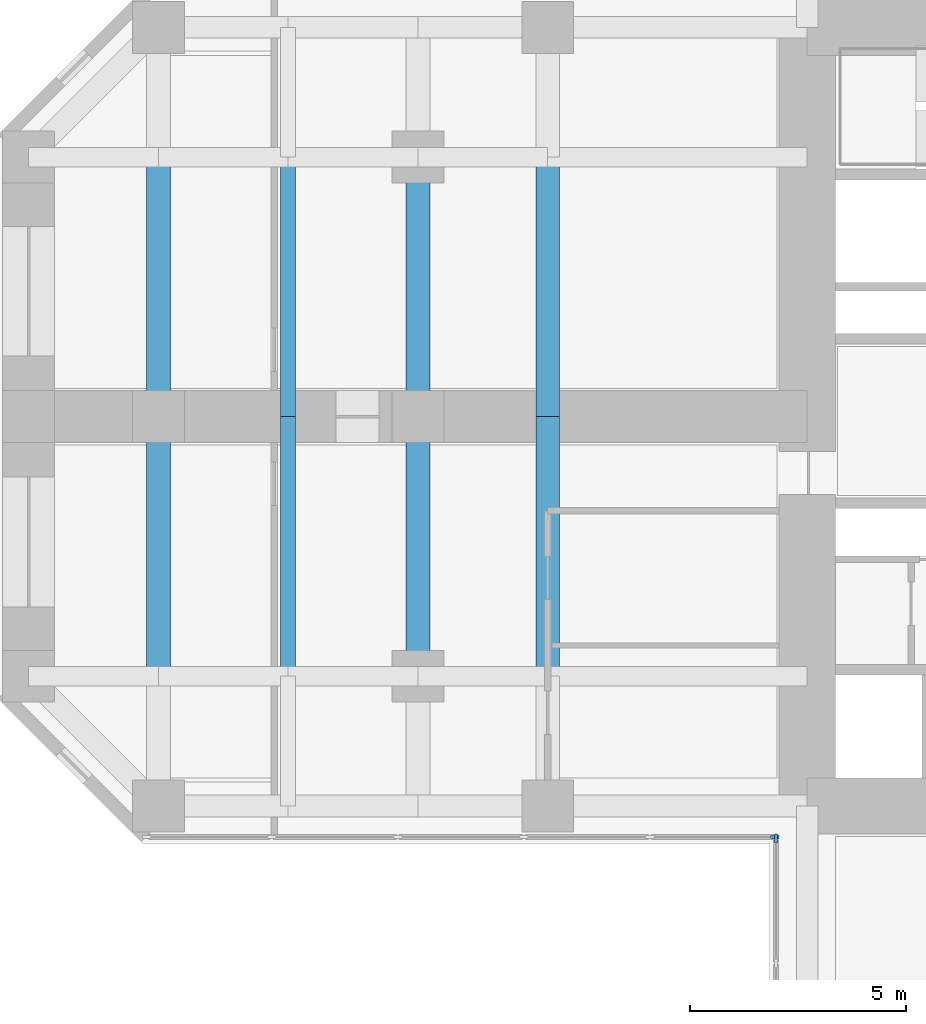
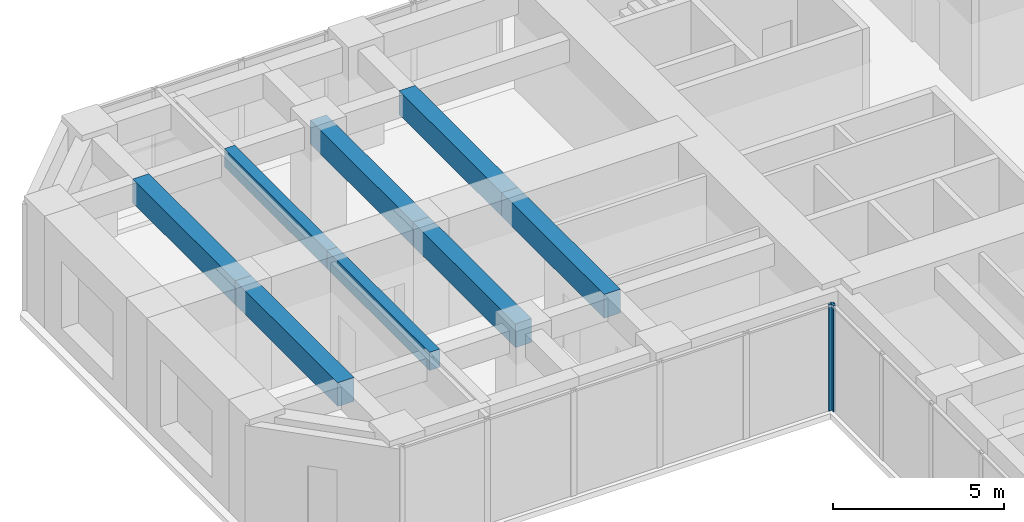
# One storey, part 3 of 12: 8 beams, 2 members, 2 elements without a shape of their own.
"""IFC4 building model written with IfcOpenShell, lengths in metres."""

import ifcopenshell
import ifcopenshell.guid

model = None  # the IFC model being written
_history = None  # IfcOwnerHistory: only IFC2X3 demands one
_inside = {}  # id of a spatial element -> (the spatial element, [elements in it])
_under = {}  # id of a project, library or spatial element -> (it, [spatial elements below it])
_declared = {}  # id of a project -> (the project, [libraries it declares])
_typed = {}  # id of a type object -> (the type object, [elements of that type])
_made_of = {}  # id of a material, layer set ... -> (it, [elements and type objects made of it])


def new_model(schema):
    """Start an empty IFC model of exactly this schema.

    Asked for "IFC4X3", IfcOpenShell would pick the latest addendum, in which some entities
    have other attributes; the version numbers below select the first issue.
    IFC2X3 requires an IfcOwnerHistory on every rooted entity: one is made here for all.
    """
    global model, _history
    if schema == "IFC4X3":
        model = ifcopenshell.file(schema_version=(4, 3, 0, 0))
    else:
        model = ifcopenshell.file(schema=schema)
    _inside.clear()
    _under.clear()
    _declared.clear()
    _typed.clear()
    _made_of.clear()
    _history = None
    if model.schema == "IFC2X3":
        org = make("IfcOrganization", Name="unknown")
        user = make(
            "IfcPersonAndOrganization",
            ThePerson=make("IfcPerson", FamilyName="unknown"),
            TheOrganization=org,
        )
        app = make(
            "IfcApplication",
            ApplicationDeveloper=org,
            Version="unknown",
            ApplicationFullName="unknown",
            ApplicationIdentifier="unknown",
        )
        _history = make(
            "IfcOwnerHistory",
            OwningUser=user,
            OwningApplication=app,
            ChangeAction="ADDED",
            CreationDate=0,
        )
    return model


def make(cls, **values):
    """One entity of the class cls with the attributes given. An attribute that is None is left unset."""
    return model.create_entity(
        cls, **{name: value for name, value in values.items() if value is not None}
    )


def rooted(cls, **values):
    """An entity with a GlobalId (a new one), such as an element, a storey or a relation."""
    return make(cls, GlobalId=ifcopenshell.guid.new(), OwnerHistory=_history, **values)


def si_unit(unit_type, name, prefix=None):
    """IfcSIUnit, for example si_unit("LENGTHUNIT", "METRE", prefix="MILLI")."""
    return make("IfcSIUnit", UnitType=unit_type, Prefix=prefix, Name=name)


def assignment(units):
    """IfcUnitAssignment: the units of a project."""
    return None if units is None else make("IfcUnitAssignment", Units=units)


def point(xyz):
    """IfcCartesianPoint."""
    return None if xyz is None else make("IfcCartesianPoint", Coordinates=xyz)


def direction(xyz):
    """IfcDirection."""
    return None if xyz is None else make("IfcDirection", DirectionRatios=xyz)


def frame(location, z_axis=None, x_axis=None):
    """IfcAxis2Placement3D, a coordinate frame: its origin and axes. An axis left out is left unset."""
    return make(
        "IfcAxis2Placement3D",
        Location=point(location),
        Axis=direction(z_axis),
        RefDirection=direction(x_axis),
    )


def frame_2d(location, x_axis=None):
    """IfcAxis2Placement2D, a coordinate frame in the plane: its origin and x axis."""
    return make(
        "IfcAxis2Placement2D", Location=point(location), RefDirection=direction(x_axis)
    )


def origin():
    """The frame at (0, 0, 0) with its axes left unset."""
    return frame((0.0, 0.0, 0.0))


def origin_2d():
    """The frame at (0, 0) in the plane with its x axis left unset."""
    return frame_2d((0.0, 0.0))


def place(relative_to, where):
    """IfcLocalPlacement: puts the frame where relative to a parent placement (None: the world)."""
    return make(
        "IfcLocalPlacement", PlacementRelTo=relative_to, RelativePlacement=where
    )


def context(
    kind, dimensions, precision=None, world=None, true_north=None, identifier=None
):
    """IfcGeometricRepresentationContext, for example the 3D "Model" context."""
    return make(
        "IfcGeometricRepresentationContext",
        ContextIdentifier=identifier,
        ContextType=kind,
        CoordinateSpaceDimension=dimensions,
        Precision=precision,
        WorldCoordinateSystem=world,
        TrueNorth=true_north,
    )


def subcontext(parent, identifier, kind, view, scale=None):
    """IfcGeometricRepresentationSubContext, for example "Body" below "Model"."""
    return make(
        "IfcGeometricRepresentationSubContext",
        ContextIdentifier=identifier,
        ContextType=kind,
        ParentContext=parent,
        TargetScale=scale,
        TargetView=view,
    )


def project(units=None, contexts=None):
    """IfcProject with its units and contexts."""
    return rooted(
        "IfcProject",
        Name="project",
        RepresentationContexts=contexts,
        UnitsInContext=assignment(units),
    )


def spatial(cls, under=None, at=None, **own):
    """A site, building, storey or space (cls), placed at a placement, below another one or the project."""
    s = rooted(cls, ObjectPlacement=at, **own)
    if under is not None:
        _under.setdefault(under.id(), (under, []))[1].append(s)
    return s


def profile(cls, at=None, kind="AREA", **sizes):
    """A parametric profile (cls). Its sizes go by their IFC names, for example OverallWidth=200.0."""
    return make(cls, ProfileType=kind, Position=at, **sizes)


def rectangle(**sizes):
    """IfcRectangleProfileDef."""
    return profile("IfcRectangleProfileDef", **sizes)


def extrude(swept, where, along, depth):
    """IfcExtrudedAreaSolid: the profile swept, set in the frame where, extruded along a direction by depth."""
    return make(
        "IfcExtrudedAreaSolid",
        SweptArea=swept,
        Position=where,
        ExtrudedDirection=direction(along),
        Depth=depth,
    )


def shape(context_of_items, identifier, shape_type, items):
    """IfcShapeRepresentation: the items that make up one representation, for example the "Body"."""
    return make(
        "IfcShapeRepresentation",
        ContextOfItems=context_of_items,
        RepresentationIdentifier=identifier,
        RepresentationType=shape_type,
        Items=items,
    )


def material(Name=None, Category=None):
    """IfcMaterial."""
    return make("IfcMaterial", Name=Name, Category=Category)


def material_profile(
    of_material, cross_section, Name=None, Category=None, Priority=None
):
    """IfcMaterialProfile: a cross section and its material."""
    return make(
        "IfcMaterialProfile",
        Name=Name,
        Material=of_material,
        Profile=cross_section,
        Priority=Priority,
        Category=Category,
    )


def profile_set(profiles, Name=None, composite=None):
    """IfcMaterialProfileSet."""
    return make(
        "IfcMaterialProfileSet",
        Name=Name,
        MaterialProfiles=profiles,
        CompositeProfile=composite,
    )


def made_of(thing, what):
    """Note that an element or type object is made of a material, layer set ...; save() writes the relation."""
    if what is not None:
        _made_of.setdefault(what.id(), (what, []))[1].append(thing)
    return thing


def type_object(cls, material=None, **own):
    """A type object (cls), such as IfcWallType, which elements share."""
    return made_of(rooted(cls, **own), material)


def element(
    cls,
    number,
    at=None,
    inside=None,
    cuts=None,
    type_object=None,
    material=None,
    context=None,
    identifier="Body",
    shape_type=None,
    held_by="IfcProductDefinitionShape",
    body=None,
    shapes=None,
    **own,
):
    """One element of the class cls, such as IfcWall. Its Tag is "e" and its number.

    at: its placement. inside: the storey or other place that contains it. cuts: it is an
    opening in that element (IfcRelVoidsElement). A single representation is given by context,
    identifier, shape_type and body (its items); several are given by shapes. held_by: the class
    of the entity that holds the representations. save() writes the other relations.
    """
    e = rooted(cls, Tag="e%d" % number, ObjectPlacement=at, **own)
    if body is not None:
        shapes = [shape(context, identifier, shape_type, body)]
    if shapes is not None:
        e.Representation = make(held_by, Representations=shapes)
    if inside is not None:
        _inside.setdefault(inside.id(), (inside, []))[1].append(e)
    if cuts is not None:
        rooted(
            "IfcRelVoidsElement", RelatingBuildingElement=cuts, RelatedOpeningElement=e
        )
    if type_object is not None:
        _typed.setdefault(type_object.id(), (type_object, []))[1].append(e)
    return made_of(e, material)


def aggregate(whole, parts):
    """IfcRelAggregates: a whole, such as a stair, and the parts it consists of."""
    return rooted("IfcRelAggregates", RelatingObject=whole, RelatedObjects=parts)


def save(model, path):
    """Write the relations noted so far, then the file.

    IfcRelAggregates (storeys below a building ...), IfcRelContainedInSpatialStructure (elements
    in a storey), IfcRelDefinesByType, IfcRelAssociatesMaterial and IfcRelDeclares: one each for
    every whole, place, type object, material and project.
    """
    for whole, parts in _under.values():
        aggregate(whole, parts)
    for where, things in _inside.values():
        rooted(
            "IfcRelContainedInSpatialStructure",
            RelatedElements=things,
            RelatingStructure=where,
        )
    for kind, things in _typed.values():
        rooted("IfcRelDefinesByType", RelatedObjects=things, RelatingType=kind)
    for what, things in _made_of.values():
        rooted("IfcRelAssociatesMaterial", RelatedObjects=things, RelatingMaterial=what)
    for by, libraries in _declared.values():
        rooted("IfcRelDeclares", RelatingContext=by, RelatedDefinitions=libraries)
    model.write(path)


model = new_model("IFC4")

# Units and contexts
model_context = context("Model", 3, precision=1e-05, world=origin(), true_north=direction((0.0, 1.0)))
body_context = subcontext(model_context, "Body", "Model", "MODEL_VIEW")
ifc_project = project(units=[si_unit("LENGTHUNIT", "METRE"), si_unit("AREAUNIT", "SQUARE_METRE"), si_unit("VOLUMEUNIT", "CUBIC_METRE"), si_unit("PLANEANGLEUNIT", "RADIAN"), si_unit("MASSUNIT", "GRAM", prefix="KILO")], contexts=[model_context])

# Site, building, storey
site_placement = place(None, origin())
site = spatial("IfcSite", under=ifc_project, at=site_placement, CompositionType="ELEMENT")
building_placement = place(site_placement, origin())
building = spatial("IfcBuilding", under=site, at=building_placement, Name="Torre Cruceta", CompositionType="ELEMENT")
storey_placement = place(building_placement, frame((0.0, 0.0, 43.5)))
storey = spatial("IfcBuildingStorey", under=building, at=storey_placement, Name="L10", CompositionType="ELEMENT", Elevation=43.5)

# Beams
ifc_material_1 = material(Name="Concrete G60 (fck 60 MPa)", Category="concrete")
ifc_material_profile_1 = material_profile(ifc_material_1, rectangle(XDim=0.550048828125, YDim=0.85009765625, at=origin_2d()), Name="RC 550X850")
ifc_profile_set_1 = profile_set([ifc_material_profile_1], Name="Concrete G60 (fck 60 MPa)")
beam_type_1 = type_object("IfcBeamType", Name="CROSS BEAM RC 550X850", PredefinedType="BEAM", material=ifc_profile_set_1)
for number, where, z_axis, x_axis, name in (
    (1, (-15.0, 6.0, 3.375), (0.0, -1.0, 0.0), (1.0, 0.0, 0.0), "GB4 L10 W cross15 2"),
    (2, (-15.0, 0.0, 3.375), (0.0, -1.0, 0.0), (1.0, 0.0, 0.0), "GB4 L10 W cross15 3"),
    (3, (-18.0, 6.0, 3.375), (0.0, -1.0, 0.0), (1.0, 0.0, 0.0), "GB4 L10 W cross18 2"),
    (4, (-18.0, 0.0, 3.375), (0.0, -1.0, 0.0), (1.0, 0.0, 0.0), "GB4 L10 W cross18 3"),
    (5, (-24.0, 6.0, 3.375), (0.0, -1.0, 0.0), (1.0, 0.0, 0.0), "GB4 L10 W cross24 2"),
    (6, (-24.0, 0.0, 3.375), (0.0, -1.0, 0.0), (1.0, 0.0, 0.0), "GB4 L10 W cross24 3"),
):
    element("IfcBeam", number, at=place(storey_placement, frame(where, z_axis=z_axis, x_axis=x_axis)), inside=storey, type_object=beam_type_1, Name=name, PredefinedType="BEAM", context=body_context, shape_type="SweptSolid", body=[
        extrude(rectangle(XDim=0.550048828125, YDim=0.85009765625, at=origin_2d()), origin(), (0.0, 0.0, 1.0), 6.0),
    ])

# Curtain wall, member
ifc_material_2 = material(Name="Aluminium unitised curtain wall", Category="aluminium")
curtain_wall_type = type_object("IfcCurtainWallType", Name="CURTAIN WALL CW-A OFFICE LOW RISE", PredefinedType="USERDEFINED", material=ifc_material_2)
curtain_wall_1_placement = place(storey_placement, origin())
curtain_wall_1 = element("IfcCurtainWall", 7, at=curtain_wall_1_placement, inside=storey, type_object=curtain_wall_type, Name="CW-A L10 W side 14", ObjectType="UNITISED", PredefinedType="USERDEFINED")
ifc_material_3 = material(Name="Aluminium mullion", Category="aluminium")
ifc_material_profile_2 = material_profile(ifc_material_3, rectangle(XDim=0.06494140625, YDim=0.199951171875, at=origin_2d()), Name="AL 65X200")
ifc_profile_set_2 = profile_set([ifc_material_profile_2], Name="Aluminium mullion")
member_type = type_object("IfcMemberType", Name="CW-A MULLION 65X200", PredefinedType="MULLION", material=ifc_profile_set_2)
member_1_placement = place(storey_placement, frame((-9.75244140625, -9.719970703125, 0.0), z_axis=(0.0, 0.0, 1.0), x_axis=(0.0, 1.0, 0.0)))
member_1 = element("IfcMember", 8, at=member_1_placement, type_object=member_type, Name="CW-A mullion 6", PredefinedType="MULLION", context=body_context, shape_type="SweptSolid", body=[
    extrude(rectangle(XDim=0.06494140625, YDim=0.199951171875, at=origin_2d()), origin(), (0.0, 0.0, 1.0), 3.800048828125),
])
aggregate(curtain_wall_1, [member_1])

curtain_wall_2_placement = place(storey_placement, origin())
curtain_wall_2 = element("IfcCurtainWall", 9, at=curtain_wall_2_placement, inside=storey, type_object=curtain_wall_type, Name="CW-A L10 S side 15", ObjectType="UNITISED", PredefinedType="USERDEFINED")
member_2_placement = place(storey_placement, frame((-9.719970703125, -9.75244140625, 0.0), z_axis=(0.0, 0.0, 1.0), x_axis=(1.0, 0.0, 0.0)))
member_2 = element("IfcMember", 10, at=member_2_placement, type_object=member_type, Name="CW-A mullion 1", PredefinedType="MULLION", context=body_context, shape_type="SweptSolid", body=[
    extrude(rectangle(XDim=0.06494140625, YDim=0.199951171875, at=origin_2d()), origin(), (0.0, 0.0, 1.0), 3.800048828125),
])
aggregate(curtain_wall_2, [member_2])

# Beams
ifc_material_4 = material(Name="Concrete G60 (fck 60 MPa)", Category="concrete")
ifc_material_profile_3 = material_profile(ifc_material_4, rectangle(XDim=0.35009765625, YDim=0.64990234375, at=origin_2d()), Name="RC 350X650")
ifc_profile_set_3 = profile_set([ifc_material_profile_3], Name="Concrete G60 (fck 60 MPa)")
beam_type_2 = type_object("IfcBeamType", Name="SECONDARY BEAM RC 350X650", PredefinedType="JOIST", material=ifc_profile_set_3)
for number, where, z_axis, x_axis, name in (
    (11, (-21.0, 6.0, 3.47509765625), (0.0, -1.0, 0.0), (1.0, 0.0, 0.0), "JB3 L10 W sec21 2"),
    (12, (-21.0, 0.0, 3.47509765625), (0.0, -1.0, 0.0), (1.0, 0.0, 0.0), "JB3 L10 W sec21 3"),
):
    element("IfcBeam", number, at=place(storey_placement, frame(where, z_axis=z_axis, x_axis=x_axis)), inside=storey, type_object=beam_type_2, Name=name, PredefinedType="JOIST", context=body_context, shape_type="SweptSolid", body=[
        extrude(rectangle(XDim=0.35009765625, YDim=0.64990234375, at=origin_2d()), origin(), (0.0, 0.0, 1.0), 6.0),
    ])

save(model, "model.ifc")
